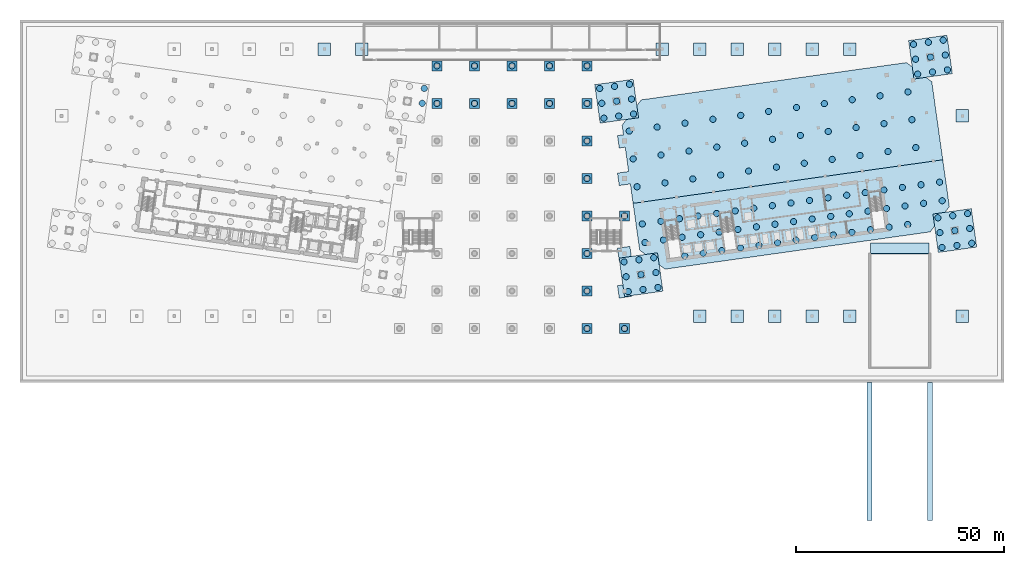
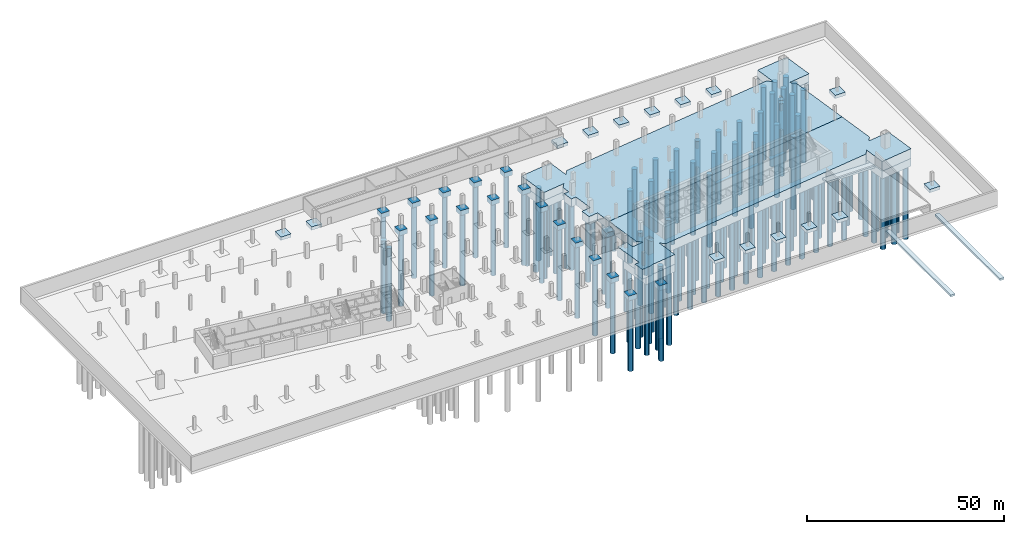
# One storey, part 2 of 19: 136 piles, 42 footings.
"""IFC4 building model written with IfcOpenShell, lengths in metres."""

from ifc_helpers import new_model, si_unit, direction, frame, origin, origin_2d, place, context, subcontext, project, spatial, polyline, circle, outline, extrude, material, material_profile, profile_set, type_object, element, save


model = new_model("IFC4")

# Units and contexts
model_context = context("Model", 3, precision=1e-05, world=origin(), true_north=direction((0.0, 1.0)))
body_context = subcontext(model_context, "Body", "Model", "MODEL_VIEW")
ifc_project = project(units=[si_unit("LENGTHUNIT", "METRE"), si_unit("AREAUNIT", "SQUARE_METRE"), si_unit("VOLUMEUNIT", "CUBIC_METRE"), si_unit("PLANEANGLEUNIT", "RADIAN"), si_unit("MASSUNIT", "GRAM", prefix="KILO")], contexts=[model_context])

# Site, building, storey
site_placement = place(None, origin())
site = spatial("IfcSite", under=ifc_project, at=site_placement, CompositionType="ELEMENT")
building_placement = place(site_placement, origin())
building = spatial("IfcBuilding", under=site, at=building_placement, Name="Mirante Cascada Hotel Towers", CompositionType="ELEMENT")
storey_placement = place(building_placement, frame((0.0, 0.0, -9.0)))
storey = spatial("IfcBuildingStorey", under=building, at=storey_placement, Name="B2", CompositionType="ELEMENT", Elevation=-9.0)

# Piles
ifc_material_1 = material(Name="Concrete C35/45", Category="concrete")
ifc_material_profile = material_profile(ifc_material_1, circle(Radius=0.75, at=origin_2d()), Name="RC D1500")
ifc_profile_set = profile_set([ifc_material_profile], Name="Concrete C35/45")
pile_type = type_object("IfcPileType", Name="Bored pile D1500 C35/45", PredefinedType="BORED", material=ifc_profile_set)
for number, where, z_axis, x_axis, name in (
    (1, (-21.5319, 18.0163, -4.8), (0.0, 0.0, -1.0), (1.0, 0.0, 0.0), "pile:F:B2:29"),
    (2, (-21.0308, 21.5812, -4.8), (0.0, 0.0, -1.0), (1.0, 0.0, 0.0), "pile:F:B2:30"),
    (3, (27.8782, -27.14, -5.3), (0.0, 0.0, -1.0), (1.0, 0.0, 0.0), "pile:F:B2:117"),
    (4, (27.3771, -23.575, -5.3), (0.0, 0.0, -1.0), (1.0, 0.0, 0.0), "pile:F:B2:118"),
    (5, (26.8761, -20.01, -5.3), (0.0, 0.0, -1.0), (1.0, 0.0, 0.0), "pile:F:B2:119"),
    (6, (31.4431, -26.6389, -5.3), (0.0, 0.0, -1.0), (1.0, 0.0, 0.0), "pile:F:B2:120"),
    (7, (30.9421, -23.074, -5.3), (0.0, 0.0, -1.0), (1.0, 0.0, 0.0), "pile:F:B2:121"),
    (8, (30.4411, -19.509, -5.3), (0.0, 0.0, -1.0), (1.0, 0.0, 0.0), "pile:F:B2:122"),
    (9, (35.0081, -26.1379, -5.3), (0.0, 0.0, -1.0), (1.0, 0.0, 0.0), "pile:F:B2:123"),
    (10, (34.5071, -22.573, -5.3), (0.0, 0.0, -1.0), (1.0, 0.0, 0.0), "pile:F:B2:124"),
    (11, (34.006, -19.008, -5.3), (0.0, 0.0, -1.0), (1.0, 0.0, 0.0), "pile:F:B2:125"),
    (12, (103.1385, -16.5628, -5.3), (0.0, 0.0, -1.0), (1.0, 0.0, 0.0), "pile:F:B2:126"),
    (13, (102.6375, -12.9978, -5.3), (0.0, 0.0, -1.0), (1.0, 0.0, 0.0), "pile:F:B2:127"),
    (14, (102.1365, -9.4329, -5.3), (0.0, 0.0, -1.0), (1.0, 0.0, 0.0), "pile:F:B2:128"),
    (15, (106.7035, -16.0618, -5.3), (0.0, 0.0, -1.0), (1.0, 0.0, 0.0), "pile:F:B2:129"),
    (16, (106.2025, -12.4968, -5.3), (0.0, 0.0, -1.0), (1.0, 0.0, 0.0), "pile:F:B2:130"),
    (17, (105.7014, -8.9319, -5.3), (0.0, 0.0, -1.0), (1.0, 0.0, 0.0), "pile:F:B2:131"),
    (18, (110.2685, -15.5608, -5.3), (0.0, 0.0, -1.0), (1.0, 0.0, 0.0), "pile:F:B2:132"),
    (19, (109.7674, -11.9958, -5.3), (0.0, 0.0, -1.0), (1.0, 0.0, 0.0), "pile:F:B2:133"),
    (20, (109.2664, -8.4308, -5.3), (0.0, 0.0, -1.0), (1.0, 0.0, 0.0), "pile:F:B2:134"),
    (21, (97.2933, 25.0285, -4.8), (0.0, 0.0, -1.0), (1.0, 0.0, 0.0), "pile:F:B2:135"),
    (22, (96.7922, 28.5934, -4.8), (0.0, 0.0, -1.0), (1.0, 0.0, 0.0), "pile:F:B2:136"),
    (23, (96.2912, 32.1584, -4.8), (0.0, 0.0, -1.0), (1.0, 0.0, 0.0), "pile:F:B2:137"),
    (24, (100.8582, 25.5295, -4.8), (0.0, 0.0, -1.0), (1.0, 0.0, 0.0), "pile:F:B2:138"),
    (25, (100.3572, 29.0944, -4.8), (0.0, 0.0, -1.0), (1.0, 0.0, 0.0), "pile:F:B2:139"),
    (26, (99.8562, 32.6594, -4.8), (0.0, 0.0, -1.0), (1.0, 0.0, 0.0), "pile:F:B2:140"),
    (27, (104.4232, 26.0305, -4.8), (0.0, 0.0, -1.0), (1.0, 0.0, 0.0), "pile:F:B2:141"),
    (28, (103.9222, 29.5955, -4.8), (0.0, 0.0, -1.0), (1.0, 0.0, 0.0), "pile:F:B2:142"),
    (29, (103.4211, 33.1604, -4.8), (0.0, 0.0, -1.0), (1.0, 0.0, 0.0), "pile:F:B2:143"),
    (30, (22.0329, 14.4513, -4.8), (0.0, 0.0, -1.0), (1.0, 0.0, 0.0), "pile:F:B2:144"),
    (31, (21.5319, 18.0163, -4.8), (0.0, 0.0, -1.0), (1.0, 0.0, 0.0), "pile:F:B2:145"),
    (32, (21.0308, 21.5812, -4.8), (0.0, 0.0, -1.0), (1.0, 0.0, 0.0), "pile:F:B2:146"),
    (33, (25.5979, 14.9523, -4.8), (0.0, 0.0, -1.0), (1.0, 0.0, 0.0), "pile:F:B2:147"),
    (34, (25.0968, 18.5173, -4.8), (0.0, 0.0, -1.0), (1.0, 0.0, 0.0), "pile:F:B2:148"),
    (35, (24.5958, 22.0822, -4.8), (0.0, 0.0, -1.0), (1.0, 0.0, 0.0), "pile:F:B2:149"),
    (36, (29.1628, 15.4533, -4.8), (0.0, 0.0, -1.0), (1.0, 0.0, 0.0), "pile:F:B2:150"),
    (37, (28.6618, 19.0183, -4.8), (0.0, 0.0, -1.0), (1.0, 0.0, 0.0), "pile:F:B2:151"),
    (38, (28.1608, 22.5833, -4.8), (0.0, 0.0, -1.0), (1.0, 0.0, 0.0), "pile:F:B2:152"),
    (39, (31.8788, -15.3686, -2.9), (0.0, 0.0, -1.0), (1.0, 0.0, 0.0), "pile:F:B2:153"),
    (40, (31.2526, -10.9124, -2.9), (0.0, 0.0, -1.0), (1.0, 0.0, 0.0), "pile:F:B2:154"),
    (41, (36.335, -14.7423, -2.9), (0.0, 0.0, -1.0), (1.0, 0.0, 0.0), "pile:F:B2:155"),
    (42, (35.7088, -10.2861, -2.9), (0.0, 0.0, -1.0), (1.0, 0.0, 0.0), "pile:F:B2:156"),
    (43, (41.4175, -18.5723, -2.9), (0.0, 0.0, -1.0), (1.0, 0.0, 0.0), "pile:F:B2:157"),
    (44, (40.7912, -14.1161, -2.9), (0.0, 0.0, -1.0), (1.0, 0.0, 0.0), "pile:F:B2:158"),
    (45, (40.165, -9.6599, -2.9), (0.0, 0.0, -1.0), (1.0, 0.0, 0.0), "pile:F:B2:159"),
    (46, (45.8737, -17.946, -2.9), (0.0, 0.0, -1.0), (1.0, 0.0, 0.0), "pile:F:B2:160"),
    (47, (45.2475, -13.4898, -2.9), (0.0, 0.0, -1.0), (1.0, 0.0, 0.0), "pile:F:B2:161"),
    (48, (44.6212, -9.0336, -2.9), (0.0, 0.0, -1.0), (1.0, 0.0, 0.0), "pile:F:B2:162"),
    (49, (50.3299, -17.3197, -2.9), (0.0, 0.0, -1.0), (1.0, 0.0, 0.0), "pile:F:B2:163"),
    (50, (49.7037, -12.8635, -2.9), (0.0, 0.0, -1.0), (1.0, 0.0, 0.0), "pile:F:B2:164"),
    (51, (49.0774, -8.4073, -2.9), (0.0, 0.0, -1.0), (1.0, 0.0, 0.0), "pile:F:B2:165"),
    (52, (54.7861, -16.6934, -2.9), (0.0, 0.0, -1.0), (1.0, 0.0, 0.0), "pile:F:B2:166"),
    (53, (54.1599, -12.2372, -2.9), (0.0, 0.0, -1.0), (1.0, 0.0, 0.0), "pile:F:B2:167"),
    (54, (53.5336, -7.781, -2.9), (0.0, 0.0, -1.0), (1.0, 0.0, 0.0), "pile:F:B2:168"),
    (55, (59.2424, -16.0672, -2.9), (0.0, 0.0, -1.0), (1.0, 0.0, 0.0), "pile:F:B2:169"),
    (56, (58.6161, -11.6109, -2.9), (0.0, 0.0, -1.0), (1.0, 0.0, 0.0), "pile:F:B2:170"),
    (57, (57.9898, -7.1547, -2.9), (0.0, 0.0, -1.0), (1.0, 0.0, 0.0), "pile:F:B2:171"),
    (58, (63.6986, -15.4409, -2.9), (0.0, 0.0, -1.0), (1.0, 0.0, 0.0), "pile:F:B2:172"),
    (59, (63.0723, -10.9847, -2.9), (0.0, 0.0, -1.0), (1.0, 0.0, 0.0), "pile:F:B2:173"),
    (60, (62.446, -6.5285, -2.9), (0.0, 0.0, -1.0), (1.0, 0.0, 0.0), "pile:F:B2:174"),
    (61, (68.1548, -14.8146, -2.9), (0.0, 0.0, -1.0), (1.0, 0.0, 0.0), "pile:F:B2:175"),
    (62, (67.5285, -10.3584, -2.9), (0.0, 0.0, -1.0), (1.0, 0.0, 0.0), "pile:F:B2:176"),
    (63, (66.9022, -5.9022, -2.9), (0.0, 0.0, -1.0), (1.0, 0.0, 0.0), "pile:F:B2:177"),
    (64, (72.611, -14.1883, -2.9), (0.0, 0.0, -1.0), (1.0, 0.0, 0.0), "pile:F:B2:178"),
    (65, (71.9847, -9.7321, -2.9), (0.0, 0.0, -1.0), (1.0, 0.0, 0.0), "pile:F:B2:179"),
    (66, (71.3584, -5.2759, -2.9), (0.0, 0.0, -1.0), (1.0, 0.0, 0.0), "pile:F:B2:180"),
    (67, (77.0672, -13.562, -2.9), (0.0, 0.0, -1.0), (1.0, 0.0, 0.0), "pile:F:B2:181"),
    (68, (76.4409, -9.1058, -2.9), (0.0, 0.0, -1.0), (1.0, 0.0, 0.0), "pile:F:B2:182"),
    (69, (75.8146, -4.6496, -2.9), (0.0, 0.0, -1.0), (1.0, 0.0, 0.0), "pile:F:B2:183"),
    (70, (81.5234, -12.9358, -2.9), (0.0, 0.0, -1.0), (1.0, 0.0, 0.0), "pile:F:B2:184"),
    (71, (80.8971, -8.4796, -2.9), (0.0, 0.0, -1.0), (1.0, 0.0, 0.0), "pile:F:B2:185"),
    (72, (80.2708, -4.0233, -2.9), (0.0, 0.0, -1.0), (1.0, 0.0, 0.0), "pile:F:B2:186"),
    (73, (85.9796, -12.3095, -2.9), (0.0, 0.0, -1.0), (1.0, 0.0, 0.0), "pile:F:B2:187"),
    (74, (85.3533, -7.8533, -2.9), (0.0, 0.0, -1.0), (1.0, 0.0, 0.0), "pile:F:B2:188"),
    (75, (84.727, -3.3971, -2.9), (0.0, 0.0, -1.0), (1.0, 0.0, 0.0), "pile:F:B2:189"),
    (76, (90.4358, -11.6832, -2.9), (0.0, 0.0, -1.0), (1.0, 0.0, 0.0), "pile:F:B2:190"),
    (77, (89.8095, -7.227, -2.9), (0.0, 0.0, -1.0), (1.0, 0.0, 0.0), "pile:F:B2:191"),
    (78, (89.1832, -2.7708, -2.9), (0.0, 0.0, -1.0), (1.0, 0.0, 0.0), "pile:F:B2:192"),
    (79, (94.892, -11.0569, -2.9), (0.0, 0.0, -1.0), (1.0, 0.0, 0.0), "pile:F:B2:193"),
    (80, (94.2657, -6.6007, -2.9), (0.0, 0.0, -1.0), (1.0, 0.0, 0.0), "pile:F:B2:194"),
    (81, (93.6394, -2.1445, -2.9), (0.0, 0.0, -1.0), (1.0, 0.0, 0.0), "pile:F:B2:195"),
    (82, (98.7219, -5.9744, -2.9), (0.0, 0.0, -1.0), (1.0, 0.0, 0.0), "pile:F:B2:196"),
    (83, (98.0957, -1.5182, -2.9), (0.0, 0.0, -1.0), (1.0, 0.0, 0.0), "pile:F:B2:197"),
    (84, (103.1781, -5.3482, -2.9), (0.0, 0.0, -1.0), (1.0, 0.0, 0.0), "pile:F:B2:198"),
    (85, (102.5519, -0.8919, -2.9), (0.0, 0.0, -1.0), (1.0, 0.0, 0.0), "pile:F:B2:199"),
    (86, (30.0, -2.0, -2.4), (0.0, 0.0, -1.0), (1.0, 0.0, 0.0), "pile:F:B2:200"),
    (87, (29.0606, 4.6843, -2.4), (0.0, 0.0, -1.0), (1.0, 0.0, 0.0), "pile:F:B2:201"),
    (88, (28.1212, 11.3686, -2.4), (0.0, 0.0, -1.0), (1.0, 0.0, 0.0), "pile:F:B2:202"),
    (89, (36.6843, -1.0606, -2.4), (0.0, 0.0, -1.0), (1.0, 0.0, 0.0), "pile:F:B2:203"),
    (90, (35.7449, 5.6237, -2.4), (0.0, 0.0, -1.0), (1.0, 0.0, 0.0), "pile:F:B2:204"),
    (91, (34.8055, 12.308, -2.4), (0.0, 0.0, -1.0), (1.0, 0.0, 0.0), "pile:F:B2:205"),
    (92, (43.3686, -0.1212, -2.4), (0.0, 0.0, -1.0), (1.0, 0.0, 0.0), "pile:F:B2:206"),
    (93, (42.4292, 6.5631, -2.4), (0.0, 0.0, -1.0), (1.0, 0.0, 0.0), "pile:F:B2:207"),
    (94, (41.4898, 13.2475, -2.4), (0.0, 0.0, -1.0), (1.0, 0.0, 0.0), "pile:F:B2:208"),
    (95, (50.0529, 0.8183, -2.4), (0.0, 0.0, -1.0), (1.0, 0.0, 0.0), "pile:F:B2:209"),
    (96, (49.1135, 7.5026, -2.4), (0.0, 0.0, -1.0), (1.0, 0.0, 0.0), "pile:F:B2:210"),
    (97, (48.1741, 14.1869, -2.4), (0.0, 0.0, -1.0), (1.0, 0.0, 0.0), "pile:F:B2:211"),
    (98, (56.7372, 1.7577, -2.4), (0.0, 0.0, -1.0), (1.0, 0.0, 0.0), "pile:F:B2:212"),
    (99, (55.7978, 8.442, -2.4), (0.0, 0.0, -1.0), (1.0, 0.0, 0.0), "pile:F:B2:213"),
    (100, (54.8584, 15.1263, -2.4), (0.0, 0.0, -1.0), (1.0, 0.0, 0.0), "pile:F:B2:214"),
    (101, (63.4215, 2.6971, -2.4), (0.0, 0.0, -1.0), (1.0, 0.0, 0.0), "pile:F:B2:215"),
    (102, (62.4821, 9.3814, -2.4), (0.0, 0.0, -1.0), (1.0, 0.0, 0.0), "pile:F:B2:216"),
    (103, (61.5427, 16.0657, -2.4), (0.0, 0.0, -1.0), (1.0, 0.0, 0.0), "pile:F:B2:217"),
    (104, (70.1059, 3.6365, -2.4), (0.0, 0.0, -1.0), (1.0, 0.0, 0.0), "pile:F:B2:218"),
    (105, (69.1664, 10.3208, -2.4), (0.0, 0.0, -1.0), (1.0, 0.0, 0.0), "pile:F:B2:219"),
    (106, (68.227, 17.0051, -2.4), (0.0, 0.0, -1.0), (1.0, 0.0, 0.0), "pile:F:B2:220"),
    (107, (76.7902, 4.5759, -2.4), (0.0, 0.0, -1.0), (1.0, 0.0, 0.0), "pile:F:B2:221"),
    (108, (75.8507, 11.2602, -2.4), (0.0, 0.0, -1.0), (1.0, 0.0, 0.0), "pile:F:B2:222"),
    (109, (74.9113, 17.9445, -2.4), (0.0, 0.0, -1.0), (1.0, 0.0, 0.0), "pile:F:B2:223"),
    (110, (83.4745, 5.5153, -2.4), (0.0, 0.0, -1.0), (1.0, 0.0, 0.0), "pile:F:B2:224"),
    (111, (82.5351, 12.1997, -2.4), (0.0, 0.0, -1.0), (1.0, 0.0, 0.0), "pile:F:B2:225"),
    (112, (81.5956, 18.884, -2.4), (0.0, 0.0, -1.0), (1.0, 0.0, 0.0), "pile:F:B2:226"),
    (113, (90.1588, 6.4548, -2.4), (0.0, 0.0, -1.0), (1.0, 0.0, 0.0), "pile:F:B2:227"),
    (114, (89.2194, 13.1391, -2.4), (0.0, 0.0, -1.0), (1.0, 0.0, 0.0), "pile:F:B2:228"),
    (115, (88.2799, 19.8234, -2.4), (0.0, 0.0, -1.0), (1.0, 0.0, 0.0), "pile:F:B2:229"),
    (116, (96.8431, 7.3942, -2.4), (0.0, 0.0, -1.0), (1.0, 0.0, 0.0), "pile:F:B2:230"),
    (117, (95.9037, 14.0785, -2.4), (0.0, 0.0, -1.0), (1.0, 0.0, 0.0), "pile:F:B2:231"),
    (118, (94.9643, 20.7628, -2.4), (0.0, 0.0, -1.0), (1.0, 0.0, 0.0), "pile:F:B2:232"),
    (119, (18.0, -36.0, -1.4), (0.0, 0.0, -1.0), (1.0, 0.0, 0.0), "pile:F:B2:238"),
    (120, (27.0, -36.0, -1.4), (0.0, 0.0, -1.0), (1.0, 0.0, 0.0), "pile:F:B2:239"),
    (121, (18.0, -27.0, -1.4), (0.0, 0.0, -1.0), (1.0, 0.0, 0.0), "pile:F:B2:244"),
    (122, (18.0, -18.0, -1.4), (0.0, 0.0, -1.0), (1.0, 0.0, 0.0), "pile:F:B2:249"),
    (123, (18.0, -9.0, -1.4), (0.0, 0.0, -1.0), (1.0, 0.0, 0.0), "pile:F:B2:255"),
    (124, (27.0, -9.0, -1.4), (0.0, 0.0, -1.0), (1.0, 0.0, 0.0), "pile:F:B2:256"),
    (125, (18.0, 0.0, -1.4), (0.0, 0.0, -1.0), (1.0, 0.0, 0.0), "pile:F:B2:261"),
    (126, (18.0, 9.0, -1.4), (0.0, 0.0, -1.0), (1.0, 0.0, 0.0), "pile:F:B2:266"),
    (127, (-18.0, 18.0, -1.4), (0.0, 0.0, -1.0), (1.0, 0.0, 0.0), "pile:F:B2:267"),
    (128, (-9.0, 18.0, -1.4), (0.0, 0.0, -1.0), (1.0, 0.0, 0.0), "pile:F:B2:268"),
    (129, (0.0, 18.0, -1.4), (0.0, 0.0, -1.0), (1.0, 0.0, 0.0), "pile:F:B2:269"),
    (130, (9.0, 18.0, -1.4), (0.0, 0.0, -1.0), (1.0, 0.0, 0.0), "pile:F:B2:270"),
    (131, (18.0, 18.0, -1.4), (0.0, 0.0, -1.0), (1.0, 0.0, 0.0), "pile:F:B2:271"),
    (132, (-18.0, 27.0, -1.4), (0.0, 0.0, -1.0), (1.0, 0.0, 0.0), "pile:F:B2:272"),
    (133, (-9.0, 27.0, -1.4), (0.0, 0.0, -1.0), (1.0, 0.0, 0.0), "pile:F:B2:273"),
    (134, (0.0, 27.0, -1.4), (0.0, 0.0, -1.0), (1.0, 0.0, 0.0), "pile:F:B2:274"),
    (135, (9.0, 27.0, -1.4), (0.0, 0.0, -1.0), (1.0, 0.0, 0.0), "pile:F:B2:275"),
    (136, (18.0, 27.0, -1.4), (0.0, 0.0, -1.0), (1.0, 0.0, 0.0), "pile:F:B2:276"),
):
    element("IfcPile", number, at=place(storey_placement, frame(where, z_axis=z_axis, x_axis=x_axis)), inside=storey, type_object=pile_type, Name=name, PredefinedType="BORED", context=body_context, shape_type="SweptSolid", body=[
        extrude(circle(Radius=0.75, at=origin_2d()), origin(), (0.0, 0.0, 1.0), 22.5),
    ])

# Footings
ifc_material_2 = material(Name="Concrete C35/45", Category="concrete")
footing_type_1 = type_object("IfcFootingType", Name="Pad footing 3000x3000x1000 C35/45", PredefinedType="PAD_FOOTING", material=ifc_material_2)
footing_1_placement = place(storey_placement, frame((0.0, 0.0, -1.0)))
element("IfcFooting", 137, at=footing_1_placement, inside=storey, type_object=footing_type_1, Name="footing:B:B2:109", PredefinedType="PAD_FOOTING", context=body_context, shape_type="SweptSolid", body=[
    extrude(outline(polyline([(46.5, -34.5), (46.5, -31.5), (43.5, -31.5), (43.5, -34.5), (46.5, -34.5)])), origin(), (0.0, 0.0, 1.0), 1.0),
])
footing_2_placement = place(storey_placement, frame((0.0, 0.0, -1.0)))
element("IfcFooting", 138, at=footing_2_placement, inside=storey, type_object=footing_type_1, Name="footing:B:B2:110", PredefinedType="PAD_FOOTING", context=body_context, shape_type="SweptSolid", body=[
    extrude(outline(polyline([(55.5, -34.5), (55.5, -31.5), (52.5, -31.5), (52.5, -34.5), (55.5, -34.5)])), origin(), (0.0, 0.0, 1.0), 1.0),
])
footing_3_placement = place(storey_placement, frame((0.0, 0.0, -1.0)))
element("IfcFooting", 139, at=footing_3_placement, inside=storey, type_object=footing_type_1, Name="footing:B:B2:111", PredefinedType="PAD_FOOTING", context=body_context, shape_type="SweptSolid", body=[
    extrude(outline(polyline([(64.5, -34.5), (64.5, -31.5), (61.5, -31.5), (61.5, -34.5), (64.5, -34.5)])), origin(), (0.0, 0.0, 1.0), 1.0),
])
footing_4_placement = place(storey_placement, frame((0.0, 0.0, -1.0)))
element("IfcFooting", 140, at=footing_4_placement, inside=storey, type_object=footing_type_1, Name="footing:B:B2:112", PredefinedType="PAD_FOOTING", context=body_context, shape_type="SweptSolid", body=[
    extrude(outline(polyline([(73.5, -34.5), (73.5, -31.5), (70.5, -31.5), (70.5, -34.5), (73.5, -34.5)])), origin(), (0.0, 0.0, 1.0), 1.0),
])
footing_5_placement = place(storey_placement, frame((0.0, 0.0, -1.0)))
element("IfcFooting", 141, at=footing_5_placement, inside=storey, type_object=footing_type_1, Name="footing:B:B2:113", PredefinedType="PAD_FOOTING", context=body_context, shape_type="SweptSolid", body=[
    extrude(outline(polyline([(82.5, -34.5), (82.5, -31.5), (79.5, -31.5), (79.5, -34.5), (82.5, -34.5)])), origin(), (0.0, 0.0, 1.0), 1.0),
])
footing_6_placement = place(storey_placement, frame((0.0, 0.0, -1.0)))
element("IfcFooting", 142, at=footing_6_placement, inside=storey, type_object=footing_type_1, Name="footing:B:B2:114", PredefinedType="PAD_FOOTING", context=body_context, shape_type="SweptSolid", body=[
    extrude(outline(polyline([(109.5, -34.5), (109.5, -31.5), (106.5, -31.5), (106.5, -34.5), (109.5, -34.5)])), origin(), (0.0, 0.0, 1.0), 1.0),
])
footing_7_placement = place(storey_placement, frame((0.0, 0.0, -1.0)))
element("IfcFooting", 143, at=footing_7_placement, inside=storey, type_object=footing_type_1, Name="footing:B:B2:116", PredefinedType="PAD_FOOTING", context=body_context, shape_type="SweptSolid", body=[
    extrude(outline(polyline([(109.5, 13.5), (109.5, 16.5), (106.5, 16.5), (106.5, 13.5), (109.5, 13.5)])), origin(), (0.0, 0.0, 1.0), 1.0),
])
footing_8_placement = place(storey_placement, frame((0.0, 0.0, -1.0)))
element("IfcFooting", 144, at=footing_8_placement, inside=storey, type_object=footing_type_1, Name="footing:B:B2:121", PredefinedType="PAD_FOOTING", context=body_context, shape_type="SweptSolid", body=[
    extrude(outline(polyline([(-43.5, 29.5), (-43.5, 32.5), (-46.5, 32.5), (-46.5, 29.5), (-43.5, 29.5)])), origin(), (0.0, 0.0, 1.0), 1.0),
])
footing_9_placement = place(storey_placement, frame((0.0, 0.0, -1.0)))
element("IfcFooting", 145, at=footing_9_placement, inside=storey, type_object=footing_type_1, Name="footing:B:B2:122", PredefinedType="PAD_FOOTING", context=body_context, shape_type="SweptSolid", body=[
    extrude(outline(polyline([(-34.5, 29.5), (-34.5, 32.5), (-37.5, 32.5), (-37.5, 29.5), (-34.5, 29.5)])), origin(), (0.0, 0.0, 1.0), 1.0),
])
footing_10_placement = place(storey_placement, frame((0.0, 0.0, -1.0)))
element("IfcFooting", 146, at=footing_10_placement, inside=storey, type_object=footing_type_1, Name="footing:B:B2:123", PredefinedType="PAD_FOOTING", context=body_context, shape_type="SweptSolid", body=[
    extrude(outline(polyline([(37.5, 29.5), (37.5, 32.5), (34.5, 32.5), (34.5, 29.5), (37.5, 29.5)])), origin(), (0.0, 0.0, 1.0), 1.0),
])
footing_11_placement = place(storey_placement, frame((0.0, 0.0, -1.0)))
element("IfcFooting", 147, at=footing_11_placement, inside=storey, type_object=footing_type_1, Name="footing:B:B2:124", PredefinedType="PAD_FOOTING", context=body_context, shape_type="SweptSolid", body=[
    extrude(outline(polyline([(46.5, 29.5), (46.5, 32.5), (43.5, 32.5), (43.5, 29.5), (46.5, 29.5)])), origin(), (0.0, 0.0, 1.0), 1.0),
])
footing_12_placement = place(storey_placement, frame((0.0, 0.0, -1.0)))
element("IfcFooting", 148, at=footing_12_placement, inside=storey, type_object=footing_type_1, Name="footing:B:B2:125", PredefinedType="PAD_FOOTING", context=body_context, shape_type="SweptSolid", body=[
    extrude(outline(polyline([(55.5, 29.5), (55.5, 32.5), (52.5, 32.5), (52.5, 29.5), (55.5, 29.5)])), origin(), (0.0, 0.0, 1.0), 1.0),
])
footing_13_placement = place(storey_placement, frame((0.0, 0.0, -1.0)))
element("IfcFooting", 149, at=footing_13_placement, inside=storey, type_object=footing_type_1, Name="footing:B:B2:126", PredefinedType="PAD_FOOTING", context=body_context, shape_type="SweptSolid", body=[
    extrude(outline(polyline([(64.5, 29.5), (64.5, 32.5), (61.5, 32.5), (61.5, 29.5), (64.5, 29.5)])), origin(), (0.0, 0.0, 1.0), 1.0),
])
footing_14_placement = place(storey_placement, frame((0.0, 0.0, -1.0)))
element("IfcFooting", 150, at=footing_14_placement, inside=storey, type_object=footing_type_1, Name="footing:B:B2:127", PredefinedType="PAD_FOOTING", context=body_context, shape_type="SweptSolid", body=[
    extrude(outline(polyline([(73.5, 29.5), (73.5, 32.5), (70.5, 32.5), (70.5, 29.5), (73.5, 29.5)])), origin(), (0.0, 0.0, 1.0), 1.0),
])
footing_15_placement = place(storey_placement, frame((0.0, 0.0, -1.0)))
element("IfcFooting", 151, at=footing_15_placement, inside=storey, type_object=footing_type_1, Name="footing:B:B2:128", PredefinedType="PAD_FOOTING", context=body_context, shape_type="SweptSolid", body=[
    extrude(outline(polyline([(82.5, 29.5), (82.5, 32.5), (79.5, 32.5), (79.5, 29.5), (82.5, 29.5)])), origin(), (0.0, 0.0, 1.0), 1.0),
])
ifc_material_3 = material(Name="Concrete C35/45", Category="concrete")
footing_type_2 = type_object("IfcFootingType", Name="Pile cap 2400x2400x1500 C35/45", PredefinedType="PILE_CAP", material=ifc_material_3)
footing_16_placement = place(storey_placement, frame((0.0, 0.0, -1.5)))
element("IfcFooting", 152, at=footing_16_placement, inside=storey, type_object=footing_type_2, Name="cap:P:B2:6", PredefinedType="PILE_CAP", context=body_context, shape_type="SweptSolid", body=[
    extrude(outline(polyline([(19.2, -37.2), (19.2, -34.8), (16.8, -34.8), (16.8, -37.2), (19.2, -37.2)])), origin(), (0.0, 0.0, 1.0), 1.5),
])
footing_17_placement = place(storey_placement, frame((0.0, 0.0, -1.5)))
element("IfcFooting", 153, at=footing_17_placement, inside=storey, type_object=footing_type_2, Name="cap:P:B2:7", PredefinedType="PILE_CAP", context=body_context, shape_type="SweptSolid", body=[
    extrude(outline(polyline([(28.2, -37.2), (28.2, -34.8), (25.8, -34.8), (25.8, -37.2), (28.2, -37.2)])), origin(), (0.0, 0.0, 1.0), 1.5),
])
footing_18_placement = place(storey_placement, frame((0.0, 0.0, -1.5)))
element("IfcFooting", 154, at=footing_18_placement, inside=storey, type_object=footing_type_2, Name="cap:P:B2:12", PredefinedType="PILE_CAP", context=body_context, shape_type="SweptSolid", body=[
    extrude(outline(polyline([(19.2, -28.2), (19.2, -25.8), (16.8, -25.8), (16.8, -28.2), (19.2, -28.2)])), origin(), (0.0, 0.0, 1.0), 1.5),
])
footing_19_placement = place(storey_placement, frame((0.0, 0.0, -1.5)))
element("IfcFooting", 155, at=footing_19_placement, inside=storey, type_object=footing_type_2, Name="cap:P:B2:17", PredefinedType="PILE_CAP", context=body_context, shape_type="SweptSolid", body=[
    extrude(outline(polyline([(19.2, -19.2), (19.2, -16.8), (16.8, -16.8), (16.8, -19.2), (19.2, -19.2)])), origin(), (0.0, 0.0, 1.0), 1.5),
])
footing_20_placement = place(storey_placement, frame((0.0, 0.0, -1.5)))
element("IfcFooting", 156, at=footing_20_placement, inside=storey, type_object=footing_type_2, Name="cap:P:B2:23", PredefinedType="PILE_CAP", context=body_context, shape_type="SweptSolid", body=[
    extrude(outline(polyline([(19.2, -10.2), (19.2, -7.8), (16.8, -7.8), (16.8, -10.2), (19.2, -10.2)])), origin(), (0.0, 0.0, 1.0), 1.5),
])
footing_21_placement = place(storey_placement, frame((0.0, 0.0, -1.5)))
element("IfcFooting", 157, at=footing_21_placement, inside=storey, type_object=footing_type_2, Name="cap:P:B2:24", PredefinedType="PILE_CAP", context=body_context, shape_type="SweptSolid", body=[
    extrude(outline(polyline([(28.2, -10.2), (28.2, -7.8), (25.8, -7.8), (25.8, -10.2), (28.2, -10.2)])), origin(), (0.0, 0.0, 1.0), 1.5),
])
footing_22_placement = place(storey_placement, frame((0.0, 0.0, -1.5)))
element("IfcFooting", 158, at=footing_22_placement, inside=storey, type_object=footing_type_2, Name="cap:P:B2:29", PredefinedType="PILE_CAP", context=body_context, shape_type="SweptSolid", body=[
    extrude(outline(polyline([(19.2, -1.2), (19.2, 1.2), (16.8, 1.2), (16.8, -1.2), (19.2, -1.2)])), origin(), (0.0, 0.0, 1.0), 1.5),
])
footing_23_placement = place(storey_placement, frame((0.0, 0.0, -1.5)))
element("IfcFooting", 159, at=footing_23_placement, inside=storey, type_object=footing_type_2, Name="cap:P:B2:34", PredefinedType="PILE_CAP", context=body_context, shape_type="SweptSolid", body=[
    extrude(outline(polyline([(19.2, 7.8), (19.2, 10.2), (16.8, 10.2), (16.8, 7.8), (19.2, 7.8)])), origin(), (0.0, 0.0, 1.0), 1.5),
])
footing_24_placement = place(storey_placement, frame((0.0, 0.0, -1.5)))
element("IfcFooting", 160, at=footing_24_placement, inside=storey, type_object=footing_type_2, Name="cap:P:B2:35", PredefinedType="PILE_CAP", context=body_context, shape_type="SweptSolid", body=[
    extrude(outline(polyline([(-16.8, 16.8), (-16.8, 19.2), (-19.2, 19.2), (-19.2, 16.8), (-16.8, 16.8)])), origin(), (0.0, 0.0, 1.0), 1.5),
])
footing_25_placement = place(storey_placement, frame((0.0, 0.0, -1.5)))
element("IfcFooting", 161, at=footing_25_placement, inside=storey, type_object=footing_type_2, Name="cap:P:B2:36", PredefinedType="PILE_CAP", context=body_context, shape_type="SweptSolid", body=[
    extrude(outline(polyline([(-7.8, 16.8), (-7.8, 19.2), (-10.2, 19.2), (-10.2, 16.8), (-7.8, 16.8)])), origin(), (0.0, 0.0, 1.0), 1.5),
])
footing_26_placement = place(storey_placement, frame((0.0, 0.0, -1.5)))
element("IfcFooting", 162, at=footing_26_placement, inside=storey, type_object=footing_type_2, Name="cap:P:B2:37", PredefinedType="PILE_CAP", context=body_context, shape_type="SweptSolid", body=[
    extrude(outline(polyline([(1.2, 16.8), (1.2, 19.2), (-1.2, 19.2), (-1.2, 16.8), (1.2, 16.8)])), origin(), (0.0, 0.0, 1.0), 1.5),
])
footing_27_placement = place(storey_placement, frame((0.0, 0.0, -1.5)))
element("IfcFooting", 163, at=footing_27_placement, inside=storey, type_object=footing_type_2, Name="cap:P:B2:38", PredefinedType="PILE_CAP", context=body_context, shape_type="SweptSolid", body=[
    extrude(outline(polyline([(10.2, 16.8), (10.2, 19.2), (7.8, 19.2), (7.8, 16.8), (10.2, 16.8)])), origin(), (0.0, 0.0, 1.0), 1.5),
])
footing_28_placement = place(storey_placement, frame((0.0, 0.0, -1.5)))
element("IfcFooting", 164, at=footing_28_placement, inside=storey, type_object=footing_type_2, Name="cap:P:B2:39", PredefinedType="PILE_CAP", context=body_context, shape_type="SweptSolid", body=[
    extrude(outline(polyline([(19.2, 16.8), (19.2, 19.2), (16.8, 19.2), (16.8, 16.8), (19.2, 16.8)])), origin(), (0.0, 0.0, 1.0), 1.5),
])
footing_29_placement = place(storey_placement, frame((0.0, 0.0, -1.5)))
element("IfcFooting", 165, at=footing_29_placement, inside=storey, type_object=footing_type_2, Name="cap:P:B2:40", PredefinedType="PILE_CAP", context=body_context, shape_type="SweptSolid", body=[
    extrude(outline(polyline([(-16.8, 25.8), (-16.8, 28.2), (-19.2, 28.2), (-19.2, 25.8), (-16.8, 25.8)])), origin(), (0.0, 0.0, 1.0), 1.5),
])
footing_30_placement = place(storey_placement, frame((0.0, 0.0, -1.5)))
element("IfcFooting", 166, at=footing_30_placement, inside=storey, type_object=footing_type_2, Name="cap:P:B2:41", PredefinedType="PILE_CAP", context=body_context, shape_type="SweptSolid", body=[
    extrude(outline(polyline([(-7.8, 25.8), (-7.8, 28.2), (-10.2, 28.2), (-10.2, 25.8), (-7.8, 25.8)])), origin(), (0.0, 0.0, 1.0), 1.5),
])
footing_31_placement = place(storey_placement, frame((0.0, 0.0, -1.5)))
element("IfcFooting", 167, at=footing_31_placement, inside=storey, type_object=footing_type_2, Name="cap:P:B2:42", PredefinedType="PILE_CAP", context=body_context, shape_type="SweptSolid", body=[
    extrude(outline(polyline([(1.2, 25.8), (1.2, 28.2), (-1.2, 28.2), (-1.2, 25.8), (1.2, 25.8)])), origin(), (0.0, 0.0, 1.0), 1.5),
])
footing_32_placement = place(storey_placement, frame((0.0, 0.0, -1.5)))
element("IfcFooting", 168, at=footing_32_placement, inside=storey, type_object=footing_type_2, Name="cap:P:B2:43", PredefinedType="PILE_CAP", context=body_context, shape_type="SweptSolid", body=[
    extrude(outline(polyline([(10.2, 25.8), (10.2, 28.2), (7.8, 28.2), (7.8, 25.8), (10.2, 25.8)])), origin(), (0.0, 0.0, 1.0), 1.5),
])
footing_33_placement = place(storey_placement, frame((0.0, 0.0, -1.5)))
element("IfcFooting", 169, at=footing_33_placement, inside=storey, type_object=footing_type_2, Name="cap:P:B2:44", PredefinedType="PILE_CAP", context=body_context, shape_type="SweptSolid", body=[
    extrude(outline(polyline([(19.2, 25.8), (19.2, 28.2), (16.8, 28.2), (16.8, 25.8), (19.2, 25.8)])), origin(), (0.0, 0.0, 1.0), 1.5),
])
ifc_material_4 = material(Name="Concrete C35/45", Category="concrete")
footing_type_3 = type_object("IfcFootingType", Name="Pile cap 9300x9300x2400 C35/45", PredefinedType="PILE_CAP", material=ifc_material_4)
footing_34_placement = place(storey_placement, frame((0.0, 0.0, -5.4)))
element("IfcFooting", 170, at=footing_34_placement, inside=storey, type_object=footing_type_3, Name="cap:T2:B2:5", PredefinedType="PILE_CAP", context=body_context, shape_type="SweptSolid", body=[
    extrude(outline(polyline([(36.194, -27.0316), (34.8997, -17.8221), (25.6902, -19.1164), (26.9845, -28.3259), (36.194, -27.0316)])), origin(), (0.0, 0.0, 1.0), 2.4),
])
footing_35_placement = place(storey_placement, frame((0.0, 0.0, -5.4)))
element("IfcFooting", 171, at=footing_35_placement, inside=storey, type_object=footing_type_3, Name="cap:T2:B2:6", PredefinedType="PILE_CAP", context=body_context, shape_type="SweptSolid", body=[
    extrude(outline(polyline([(111.4544, -16.4544), (110.1601, -7.2449), (100.9506, -8.5392), (102.2449, -17.7487), (111.4544, -16.4544)])), origin(), (0.0, 0.0, 1.0), 2.4),
])
footing_36_placement = place(storey_placement, frame((0.0, 0.0, -4.9)))
element("IfcFooting", 172, at=footing_36_placement, inside=storey, type_object=footing_type_3, Name="cap:T2:B2:7", PredefinedType="PILE_CAP", context=body_context, shape_type="SweptSolid", body=[
    extrude(outline(polyline([(105.6091, 25.1368), (104.3148, 34.3463), (95.1053, 33.052), (96.3996, 23.8425), (105.6091, 25.1368)])), origin(), (0.0, 0.0, 1.0), 2.4),
])
footing_37_placement = place(storey_placement, frame((0.0, 0.0, -4.9)))
element("IfcFooting", 173, at=footing_37_placement, inside=storey, type_object=footing_type_3, Name="cap:T2:B2:8", PredefinedType="PILE_CAP", context=body_context, shape_type="SweptSolid", body=[
    extrude(outline(polyline([(30.3487, 14.5597), (29.0544, 23.7692), (19.8449, 22.4749), (21.1392, 13.2654), (30.3487, 14.5597)])), origin(), (0.0, 0.0, 1.0), 2.4),
])
ifc_material_5 = material(Name="Concrete C35/45", Category="concrete")
footing_type_4 = type_object("IfcFootingType", Name="Raft 2500 C35/45", PredefinedType="USERDEFINED", material=ifc_material_5)
footing_38_placement = place(storey_placement, frame((64.1292, 13.8289, -2.5), x_axis=(0.9902681, 0.1391731, 0.0)))
element("IfcFooting", 174, at=footing_38_placement, inside=storey, type_object=footing_type_4, Name="raft:T2:B2:2", ObjectType="RAFT", PredefinedType="USERDEFINED", context=body_context, shape_type="SweptSolid", body=[
    extrude(outline(polyline([(-37.5, -10.0269), (-40.1925, -10.0269), (-40.1925, -7.0269), (-37.5, -7.0269), (-37.5, -1.1145), (-38.9399, -1.1145), (-38.9399, 1.8855), (-37.5, 1.8855), (-37.5, 4.1963), (-36.2713, 5.425), (-42.65, 5.425), (-42.65, 14.725), (-33.35, 14.725), (-33.35, 8.3463), (-32.1213, 9.575), (32.1213, 9.575), (33.35, 8.3463), (33.35, 14.725), (42.65, 14.725), (42.65, 5.425), (36.2713, 5.425), (37.5, 4.1963), (37.5, -14.725), (-37.5, -14.725), (-37.5, -10.0269)])), origin(), (0.0, 0.0, 1.0), 2.5),
])
ifc_material_6 = material(Name="Concrete C35/45", Category="concrete")
footing_type_5 = type_object("IfcFootingType", Name="Raft 3000 C35/45", PredefinedType="USERDEFINED", material=ifc_material_6)
footing_39_placement = place(storey_placement, frame((67.042, -11.6712, -3.0), x_axis=(0.9899506, 0.1414136, 0.0)))
element("IfcFooting", 175, at=footing_39_placement, inside=storey, type_object=footing_type_5, Name="raft:T2:B2:1", ObjectType="RAFT", PredefinedType="USERDEFINED", context=body_context, shape_type="SweptSolid", body=[
    extrude(outline(polyline([(-42.0038, -8.0118), (-41.9904, -2.0994), (-42.038, -2.0993), (-42.0312, 0.9007), (-39.0312, 0.8939), (-39.0367, -1.5293), (-35.6104, -1.5371), (-36.8363, -0.3056), (-36.8107, 11.0157), (38.1891, 10.8459), (38.1635, -0.4754), (36.932, -1.7012), (43.3107, -1.7157), (43.2896, -11.0157), (33.9897, -10.9946), (34.0041, -4.616), (32.7726, -5.8418), (-31.4698, -5.6965), (-32.6957, -4.465), (-32.7102, -10.8437), (-40.3103, -10.8265), (-40.3107, -11.0157), (-43.3107, -11.0089), (-43.3039, -8.0089), (-42.0038, -8.0118)])), origin(), (0.0, 0.0, 1.0), 3.0),
])
ifc_material_7 = material(Name="Concrete C35/45", Category="concrete")
footing_type_6 = type_object("IfcFootingType", Name="Ramp foot bed footing 500 C35/45", PredefinedType="PAD_FOOTING", material=ifc_material_7)
footing_40_placement = place(storey_placement, frame((86.0, -18.0, -0.4), z_axis=(0.0, 0.1614921, 0.986874), x_axis=(1.0, 0.0, 0.0)))
element("IfcFooting", 176, at=footing_40_placement, inside=storey, type_object=footing_type_6, Name="Ramp foot bed footing", PredefinedType="PAD_FOOTING", context=body_context, shape_type="SweptSolid", body=[
    extrude(outline(polyline([(0.0, 0.0), (14.0, 0.0), (14.0, 2.5332514304742824), (0.0, 2.5332514304742824), (0.0, 0.0)])), origin(), (0.0, 0.0, -1.0), 0.5),
])
ifc_material_8 = material(Name="Concrete C35/45", Category="concrete")
footing_type_7 = type_object("IfcFootingType", Name="Strip footing 1200x600 C35/45", PredefinedType="STRIP_FOOTING", material=ifc_material_8)
footing_41_placement = place(storey_placement, frame((0.0, 0.0, 3.0)))
element("IfcFooting", 177, at=footing_41_placement, inside=storey, type_object=footing_type_7, Name="footing:B:B1:21", PredefinedType="STRIP_FOOTING", context=body_context, shape_type="SweptSolid", body=[
    extrude(outline(polyline([(85.2, -82.0), (86.4, -82.0), (86.4, -49.0), (85.2, -49.0), (85.2, -82.0)])), origin(), (0.0, 0.0, 1.0), 0.6),
])
footing_42_placement = place(storey_placement, frame((0.0, 0.0, 3.0)))
element("IfcFooting", 178, at=footing_42_placement, inside=storey, type_object=footing_type_7, Name="footing:B:B1:22", PredefinedType="STRIP_FOOTING", context=body_context, shape_type="SweptSolid", body=[
    extrude(outline(polyline([(99.6, -82.0), (100.8, -82.0), (100.8, -49.0), (99.6, -49.0), (99.6, -82.0)])), origin(), (0.0, 0.0, 1.0), 0.6),
])

save(model, "model.ifc")
